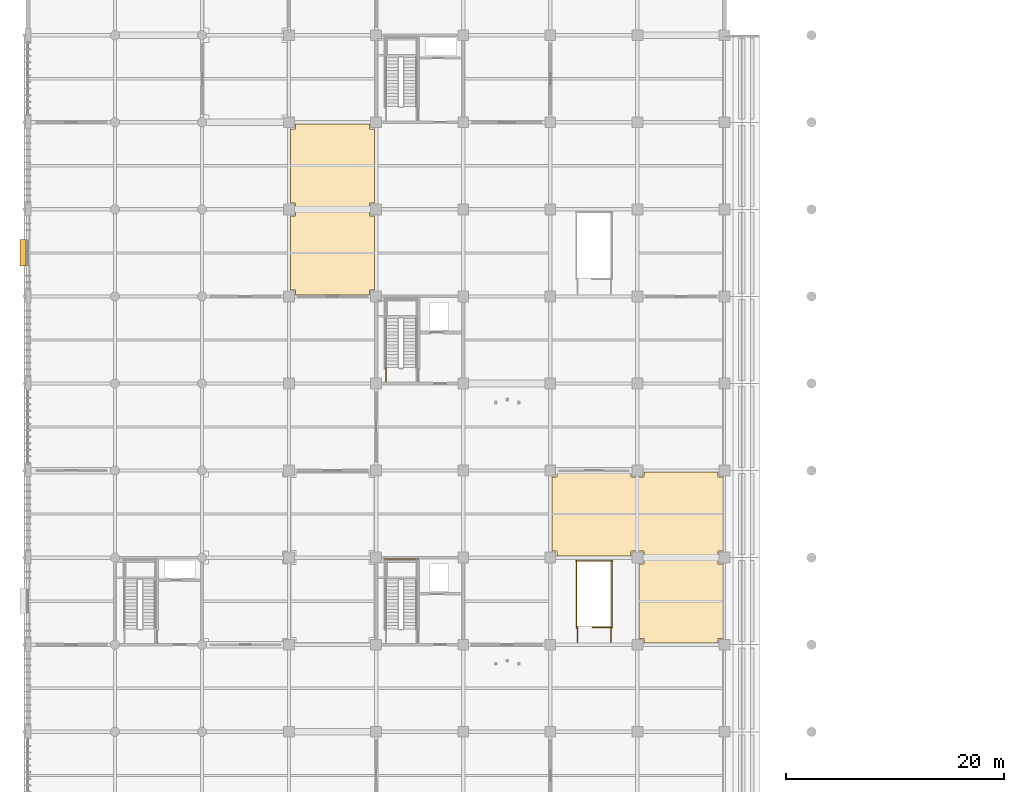
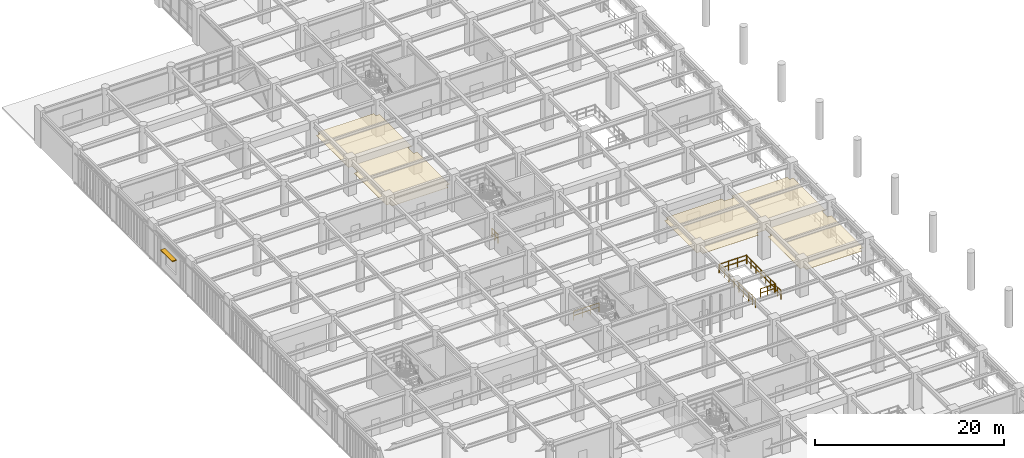
# One storey, part 103 of 117: 8 railings, 2 coverings, 1 shading device.
"""IFC4 building model written with IfcOpenShell, lengths in metres."""

from ifc_helpers import new_model, si_unit, direction, frame, origin, origin_2d, place, context, subcontext, project, spatial, polyline, rectangle, circle, outline, extrude, material, layer, layer_set, type_object, element, save


model = new_model("IFC4")

# Units and contexts
model_context = context("Model", 3, precision=1e-05, world=origin(), true_north=direction((0.0, 1.0)))
body_context = subcontext(model_context, "Body", "Model", "MODEL_VIEW")
ifc_project = project(units=[si_unit("LENGTHUNIT", "METRE"), si_unit("AREAUNIT", "SQUARE_METRE"), si_unit("VOLUMEUNIT", "CUBIC_METRE"), si_unit("PLANEANGLEUNIT", "RADIAN"), si_unit("MASSUNIT", "GRAM", prefix="KILO")], contexts=[model_context])

# Site, building, storey
site_placement = place(None, origin())
site = spatial("IfcSite", under=ifc_project, at=site_placement, CompositionType="ELEMENT")
building_placement = place(site_placement, origin())
building = spatial("IfcBuilding", under=site, at=building_placement, Name="Haebicheon Civic Stadium", CompositionType="ELEMENT")
storey_placement = place(building_placement, frame((0.0, 0.0, 4.800048828125)))
storey = spatial("IfcBuildingStorey", under=building, at=storey_placement, Name="L02", CompositionType="ELEMENT", Elevation=4.800048828125)

# Coverings
ifc_material_1 = material(Name="Perforated mineral-fibre acoustic board", Category="gypsum")
ifc_layer_1 = layer(ifc_material_1, 0.0400390625, Name="Perforated mineral-fibre acoustic board")
ifc_layer_set_1 = layer_set([ifc_layer_1], Name="Perforated mineral-fibre acoustic board")
covering_type = type_object("IfcCoveringType", Name="COV-CLG-AC", PredefinedType="CEILING", material=ifc_layer_set_1)
covering_1_placement = place(storey_placement, frame((0.0, 0.0, 2.81005859375)))
element("IfcCovering", 1, at=covering_1_placement, inside=storey, type_object=covering_type, material=ifc_layer_set_1, Name="L02 Food and Beverage Kiosk acoustic ceiling", PredefinedType="CEILING", context=body_context, shape_type="SweptSolid", body=[
    extrude(outline(polyline([(24.594970703125, 112.14501953125), (24.594970703125, 112.594970703125), (24.14501953125, 112.594970703125), (24.14501953125, 119.405029296875), (24.594970703125, 119.405029296875), (24.594970703125, 120.594970703125), (24.14501953125, 120.594970703125), (24.14501953125, 127.405029296875), (24.594970703125, 127.405029296875), (24.594970703125, 127.85498046875), (31.405029296875, 127.85498046875), (31.405029296875, 127.405029296875), (31.85498046875, 127.405029296875), (31.85498046875, 120.594970703125), (31.405029296875, 120.594970703125), (31.405029296875, 119.405029296875), (31.85498046875, 119.405029296875), (31.85498046875, 112.594970703125), (31.405029296875, 112.594970703125), (31.405029296875, 112.14501953125), (24.594970703125, 112.14501953125)])), origin(), (0.0, 0.0, 1.0), 0.039794921875),
])
covering_2_placement = place(storey_placement, frame((0.0, 0.0, 2.81005859375)))
element("IfcCovering", 2, at=covering_2_placement, inside=storey, type_object=covering_type, material=ifc_layer_set_1, Name="L02 Family Viewing Lounge acoustic ceiling", PredefinedType="CEILING", context=body_context, shape_type="SweptSolid", body=[
    extrude(outline(polyline([(56.594970703125, 80.14501953125), (56.594970703125, 80.594970703125), (56.14501953125, 80.594970703125), (56.14501953125, 87.405029296875), (56.594970703125, 87.405029296875), (56.594970703125, 88.594970703125), (55.405029296875, 88.594970703125), (55.405029296875, 88.14501953125), (48.594970703125, 88.14501953125), (48.594970703125, 88.594970703125), (48.14501953125, 88.594970703125), (48.14501953125, 95.405029296875), (48.594970703125, 95.405029296875), (48.594970703125, 95.85498046875), (55.405029296875, 95.85498046875), (55.405029296875, 95.405029296875), (56.594970703125, 95.405029296875), (56.594970703125, 95.85498046875), (63.405029296875, 95.85498046875), (63.405029296875, 95.405029296875), (63.85498046875, 95.405029296875), (63.85498046875, 88.594970703125), (63.405029296875, 88.594970703125), (63.405029296875, 87.405029296875), (63.85498046875, 87.405029296875), (63.85498046875, 80.594970703125), (63.405029296875, 80.594970703125), (63.405029296875, 80.14501953125), (56.594970703125, 80.14501953125)])), origin(), (0.0, 0.0, 1.0), 0.039794921875),
])

# Railings
ifc_material_2 = material(Name="Galvanised painted steel SM355", Category="steel")
railing_type = type_object("IfcRailingType", Name="RL-GRD-1150", PredefinedType="GUARDRAIL", material=ifc_material_2)
railing_1_placement = place(storey_placement, frame((35.840087890625, 87.889892578125, 0.0)))
element("IfcRailing", 3, at=railing_1_placement, inside=storey, type_object=railing_type, material=ifc_material_2, Name="L02 ST-03 stair guard 12", PredefinedType="GUARDRAIL", context=body_context, shape_type="SweptSolid", body=[
    extrude(circle(Radius=0.02392578125, at=origin_2d()), frame((0.0, 0.0, 1.1259765625), z_axis=(-1.0, 0.0, 0.0), x_axis=(0.0, -1.0, 0.0)), (0.0, 0.0, 1.0), 3.10009765625),
    extrude(circle(Radius=0.02392578125, at=origin_2d()), frame((0.0, 0.0, 0.574951171875), z_axis=(-1.0, 0.0, 0.0), x_axis=(0.0, -1.0, 0.0)), (0.0, 0.0, 1.0), 3.10009765625),
    extrude(circle(Radius=0.02099609375, at=origin_2d()), origin(), (0.0, 0.0, 1.0), 1.101806640625),
    extrude(circle(Radius=0.02099609375, at=origin_2d()), frame((-1.033447265625, 0.0, 0.0)), (0.0, 0.0, 1.0), 1.101806640625),
    extrude(circle(Radius=0.02099609375, at=origin_2d()), frame((-2.066650390625, 0.0, 0.0)), (0.0, 0.0, 1.0), 1.101806640625),
    extrude(circle(Radius=0.02099609375, at=origin_2d()), frame((-3.10009765625, 0.0, 0.0)), (0.0, 0.0, 1.0), 1.101806640625),
])
railing_2_placement = place(storey_placement, frame((32.889892578125, 104.159912109375, 0.0)))
element("IfcRailing", 4, at=railing_2_placement, inside=storey, type_object=railing_type, material=ifc_material_2, Name="L02 ST-04 stair guard 9", PredefinedType="GUARDRAIL", context=body_context, shape_type="SweptSolid", body=[
    extrude(circle(Radius=0.02392578125, at=origin_2d()), frame((0.0, 0.0, 1.1259765625), z_axis=(0.0, 1.0, 0.0), x_axis=(-1.0, 0.0, 0.0)), (0.0, 0.0, 1.0), 1.2900390625),
    extrude(circle(Radius=0.02392578125, at=origin_2d()), frame((0.0, 0.0, 0.574951171875), z_axis=(0.0, 1.0, 0.0), x_axis=(-1.0, 0.0, 0.0)), (0.0, 0.0, 1.0), 1.2900390625),
    extrude(circle(Radius=0.02099609375, at=origin_2d()), origin(), (0.0, 0.0, 1.0), 1.101806640625),
    extrude(circle(Radius=0.02099609375, at=origin_2d()), frame((0.0, 0.64501953125, 0.0)), (0.0, 0.0, 1.0), 1.101806640625),
    extrude(circle(Radius=0.02099609375, at=origin_2d()), frame((0.0, 1.2900390625, 0.0)), (0.0, 0.0, 1.0), 1.101806640625),
])
railing_3_placement = place(storey_placement, frame((53.639892578125, 81.60009765625, 0.0)))
element("IfcRailing", 5, at=railing_3_placement, inside=storey, type_object=railing_type, material=ifc_material_2, Name="L02 VM-02 top well guard 1", PredefinedType="GUARDRAIL", context=body_context, shape_type="SweptSolid", body=[
    extrude(circle(Radius=0.02392578125, at=origin_2d()), frame((0.0, 0.0, 1.1259765625), z_axis=(-1.0, 0.0, 0.0), x_axis=(0.0, -1.0, 0.0)), (0.0, 0.0, 1.0), 1.77978515625),
    extrude(circle(Radius=0.02392578125, at=origin_2d()), frame((0.0, 0.0, 0.574951171875), z_axis=(-1.0, 0.0, 0.0), x_axis=(0.0, -1.0, 0.0)), (0.0, 0.0, 1.0), 1.77978515625),
    extrude(circle(Radius=0.02099609375, at=origin_2d()), origin(), (0.0, 0.0, 1.0), 1.101806640625),
    extrude(circle(Radius=0.02099609375, at=origin_2d()), frame((-0.889892578125, 0.0, 0.0)), (0.0, 0.0, 1.0), 1.101806640625),
    extrude(circle(Radius=0.02099609375, at=origin_2d()), frame((-1.77978515625, 0.0, 0.0)), (0.0, 0.0, 1.0), 1.101806640625),
])
for number, where, name in (
    (6, (53.68994140625, 81.550048828125, 0.0), "L02 VM-02 top well guard 2"),
    (7, (50.409912109375, 81.550048828125, 0.0), "L02 VM-02 top well guard 3"),
):
    element("IfcRailing", number, at=place(storey_placement, frame(where)), inside=storey, type_object=railing_type, material=ifc_material_2, Name=name, PredefinedType="GUARDRAIL", context=body_context, shape_type="SweptSolid", body=[
        extrude(circle(Radius=0.02392578125, at=origin_2d()), frame((0.0, 0.0, 1.1259765625), z_axis=(0.0, 1.0, 0.0), x_axis=(-1.0, 0.0, 0.0)), (0.0, 0.0, 1.0), 6.199951171875),
        extrude(circle(Radius=0.02392578125, at=origin_2d()), frame((0.0, 0.0, 0.574951171875), z_axis=(0.0, 1.0, 0.0), x_axis=(-1.0, 0.0, 0.0)), (0.0, 0.0, 1.0), 6.199951171875),
        extrude(circle(Radius=0.02099609375, at=origin_2d()), origin(), (0.0, 0.0, 1.0), 1.101806640625),
        extrude(circle(Radius=0.02099609375, at=origin_2d()), frame((0.0, 1.033203125, 0.0)), (0.0, 0.0, 1.0), 1.101806640625),
        extrude(circle(Radius=0.02099609375, at=origin_2d()), frame((0.0, 2.066650390625, 0.0)), (0.0, 0.0, 1.0), 1.101806640625),
        extrude(circle(Radius=0.02099609375, at=origin_2d()), frame((0.0, 3.10009765625, 0.0)), (0.0, 0.0, 1.0), 1.101806640625),
        extrude(circle(Radius=0.02099609375, at=origin_2d()), frame((0.0, 4.13330078125, 0.0)), (0.0, 0.0, 1.0), 1.101806640625),
        extrude(circle(Radius=0.02099609375, at=origin_2d()), frame((0.0, 5.16650390625, 0.0)), (0.0, 0.0, 1.0), 1.101806640625),
        extrude(circle(Radius=0.02099609375, at=origin_2d()), frame((0.0, 6.199951171875, 0.0)), (0.0, 0.0, 1.0), 1.101806640625),
    ])
railing_4_placement = place(storey_placement, frame((53.739990234375, 87.699951171875, 0.0)))
element("IfcRailing", 8, at=railing_4_placement, inside=storey, type_object=railing_type, material=ifc_material_2, Name="L02 VM-02 top well guard 4", PredefinedType="GUARDRAIL", context=body_context, shape_type="SweptSolid", body=[
    extrude(circle(Radius=0.02392578125, at=origin_2d()), frame((0.0, 0.0, 1.1259765625), z_axis=(-1.0, 0.0, 0.0), x_axis=(0.0, -1.0, 0.0)), (0.0, 0.0, 1.0), 3.3798828125),
    extrude(circle(Radius=0.02392578125, at=origin_2d()), frame((0.0, 0.0, 0.574951171875), z_axis=(-1.0, 0.0, 0.0), x_axis=(0.0, -1.0, 0.0)), (0.0, 0.0, 1.0), 3.3798828125),
    extrude(circle(Radius=0.02099609375, at=origin_2d()), origin(), (0.0, 0.0, 1.0), 1.101806640625),
    extrude(circle(Radius=0.02099609375, at=origin_2d()), frame((-1.126708984375, 0.0, 0.0)), (0.0, 0.0, 1.0), 1.101806640625),
    extrude(circle(Radius=0.02099609375, at=origin_2d()), frame((-2.253173828125, 0.0, 0.0)), (0.0, 0.0, 1.0), 1.101806640625),
    extrude(circle(Radius=0.02099609375, at=origin_2d()), frame((-3.3798828125, 0.0, 0.0)), (0.0, 0.0, 1.0), 1.101806640625),
])
for number, where, name in (
    (9, (53.590087890625, 80.25, 0.0), "L02 VM-02 top well guard 5"),
    (10, (50.510009765625, 80.25, 0.0), "L02 VM-02 top well guard 6"),
):
    element("IfcRailing", number, at=place(storey_placement, frame(where)), inside=storey, type_object=railing_type, material=ifc_material_2, Name=name, PredefinedType="GUARDRAIL", context=body_context, shape_type="SweptSolid", body=[
        extrude(circle(Radius=0.02392578125, at=origin_2d()), frame((0.0, 0.0, 1.1259765625), z_axis=(0.0, 1.0, 0.0), x_axis=(-1.0, 0.0, 0.0)), (0.0, 0.0, 1.0), 1.39990234375),
        extrude(circle(Radius=0.02392578125, at=origin_2d()), frame((0.0, 0.0, 0.574951171875), z_axis=(0.0, 1.0, 0.0), x_axis=(-1.0, 0.0, 0.0)), (0.0, 0.0, 1.0), 1.39990234375),
        extrude(circle(Radius=0.02099609375, at=origin_2d()), origin(), (0.0, 0.0, 1.0), 1.101806640625),
        extrude(circle(Radius=0.02099609375, at=origin_2d()), frame((0.0, 0.699951171875, 0.0)), (0.0, 0.0, 1.0), 1.101806640625),
        extrude(circle(Radius=0.02099609375, at=origin_2d()), frame((0.0, 1.39990234375, 0.0)), (0.0, 0.0, 1.0), 1.101806640625),
    ])

# Shading device
ifc_material_3 = material(Name="Anodised aluminium 6063-T6", Category="aluminium")
ifc_layer_2 = layer(ifc_material_3, 0.1201171875, Name="Anodised aluminium 6063-T6")
ifc_layer_set_2 = layer_set([ifc_layer_2], Name="Anodised aluminium 6063-T6")
shading_device_type = type_object("IfcShadingDeviceType", Name="SHD-ALU-LVR", PredefinedType="USERDEFINED", material=ifc_layer_set_2)
shading_device_placement = place(storey_placement, frame((-0.445068359375, 116.0, 2.869873046875), z_axis=(0.0, 0.0, 1.0), x_axis=(1.0, 0.0, 0.0)))
element("IfcShadingDevice", 11, at=shading_device_placement, inside=storey, type_object=shading_device_type, material=ifc_layer_set_2, Name="L02 window sunshade louvre hood 13", ObjectType="LOUVRE", PredefinedType="USERDEFINED", context=body_context, shape_type="SweptSolid", body=[
    extrude(rectangle(XDim=0.550048828125, YDim=2.449951171875, at=origin_2d()), origin(), (0.0, 0.0, 1.0), 0.1201171875),
])

save(model, "model.ifc")
